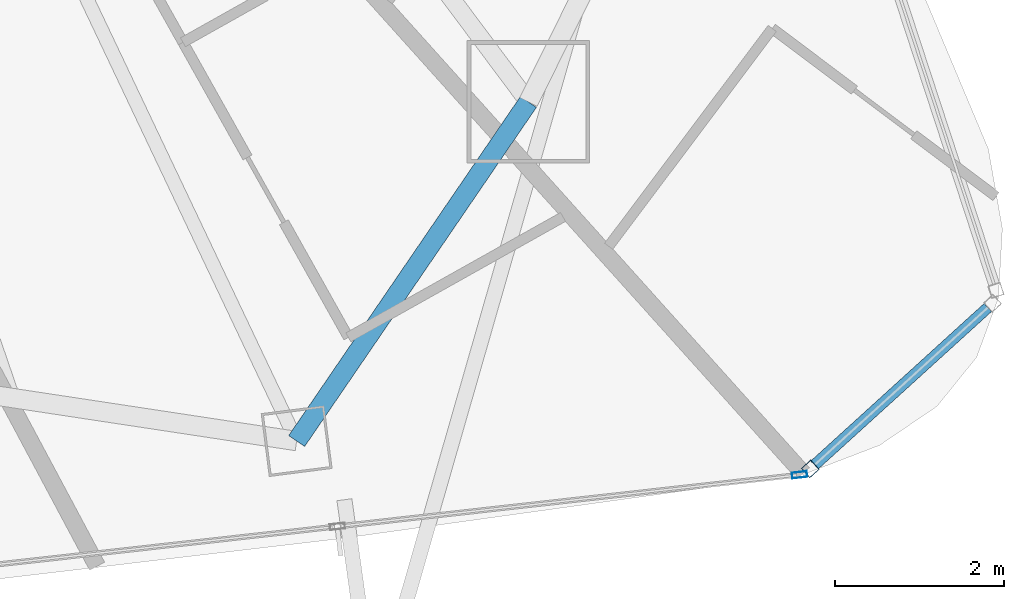
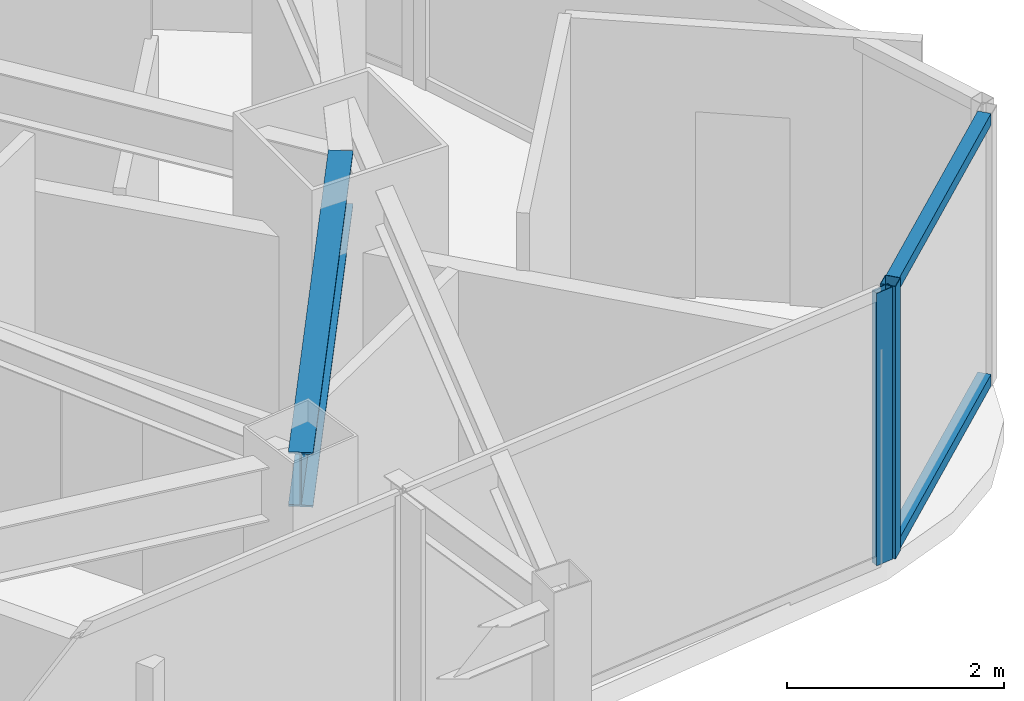
# One storey, part 15 of 30: 4 members, 1 beam, 2 elements without a shape of their own.
"""IFC4 building model written with IfcOpenShell, lengths in metres."""

from ifc_helpers import new_model, si_unit, direction, frame, origin, origin_2d, place, context, subcontext, project, spatial, hollow_rectangle, i_section, extrude, material, layer, layer_set, material_profile, profile_set, type_object, element, aggregate, save


model = new_model("IFC4")

# Units and contexts
model_context = context("Model", 3, precision=1e-05, world=origin(), true_north=direction((0.0, 1.0)))
body_context = subcontext(model_context, "Body", "Model", "MODEL_VIEW")
ifc_project = project(units=[si_unit("LENGTHUNIT", "METRE"), si_unit("AREAUNIT", "SQUARE_METRE"), si_unit("VOLUMEUNIT", "CUBIC_METRE"), si_unit("PLANEANGLEUNIT", "RADIAN"), si_unit("MASSUNIT", "GRAM", prefix="KILO")], contexts=[model_context])

# Site, building, storey
site_placement = place(None, origin())
site = spatial("IfcSite", under=ifc_project, at=site_placement, CompositionType="ELEMENT")
building_placement = place(site_placement, origin())
building = spatial("IfcBuilding", under=site, at=building_placement, Name="Orvanel Arch Residences", CompositionType="ELEMENT")
storey_placement = place(building_placement, frame((0.0, 0.0, 180.35009765625)))
storey = spatial("IfcBuildingStorey", under=building, at=storey_placement, Name="L51", CompositionType="ELEMENT", Elevation=180.35009765625)

# Curtain wall, member
ifc_material_1 = material(Name="Bronze-anodised aluminium AA6063-T6", Category="aluminium")
ifc_layer_1 = layer(ifc_material_1, 0.18994140625)
ifc_layer_set_1 = layer_set([ifc_layer_1], Name="Bronze-anodised aluminium AA6063-T6")
curtain_wall_type_1 = type_object("IfcCurtainWallType", Name="CW5-CRN-SYS", PredefinedType="NOTDEFINED", material=ifc_layer_set_1)
curtain_wall_1_placement = place(storey_placement, origin())
curtain_wall_1 = element("IfcCurtainWall", 1, at=curtain_wall_1_placement, inside=storey, type_object=curtain_wall_type_1, Name="L51 CW5-CRN-SYS Unitised Curtain Wall", PredefinedType="NOTDEFINED")
ifc_material_profile_1 = material_profile(ifc_material_1, hollow_rectangle(XDim=0.14990234375, YDim=0.14990234375, WallThickness=0.0048828125, at=origin_2d()), Name="ALU150x150x5")
ifc_profile_set_1 = profile_set([ifc_material_profile_1], Name="Bronze-anodised aluminium AA6063-T6")
member_type_1 = type_object("IfcMemberType", Name="MUL-150x150", PredefinedType="MULLION", material=ifc_profile_set_1)
member_1_placement = place(storey_placement, frame((55.133544921875, 6.009521484375, 0.0), z_axis=(0.0, 0.0, 1.0), x_axis=(-0.672347823548, 0.740235370791, 0.0)))
member_1 = element("IfcMember", 2, at=member_1_placement, type_object=member_type_1, Name="CW-S5 mullion 1", PredefinedType="MULLION", context=body_context, shape_type="SweptSolid", body=[
    extrude(hollow_rectangle(XDim=0.14990234375, YDim=0.14990234375, WallThickness=0.0048828125, at=origin_2d()), origin(), (0.0, 0.0, 1.0), 3.059814453125),
])

ifc_layer_2 = layer(ifc_material_1, 0.179931640625)
ifc_layer_set_2 = layer_set([ifc_layer_2], Name="Bronze-anodised aluminium AA6063-T6")
curtain_wall_type_2 = type_object("IfcCurtainWallType", Name="CW3-MID-SYS", PredefinedType="NOTDEFINED", material=ifc_layer_set_2)
curtain_wall_2_placement = place(storey_placement, origin())
curtain_wall_2 = element("IfcCurtainWall", 3, at=curtain_wall_2_placement, inside=storey, type_object=curtain_wall_type_2, Name="L51 CW3-MID-SYS Unitised Curtain Wall", PredefinedType="NOTDEFINED")
ifc_material_profile_2 = material_profile(ifc_material_1, hollow_rectangle(XDim=0.070068359375, YDim=0.179931640625, WallThickness=0.00439453125, at=origin_2d()), Name="ALU180x70x4.5")
ifc_profile_set_2 = profile_set([ifc_material_profile_2], Name="Bronze-anodised aluminium AA6063-T6")
member_type_2 = type_object("IfcMemberType", Name="MUL-180x70", PredefinedType="MULLION", material=ifc_profile_set_2)
member_2_placement = place(storey_placement, frame((55.00830078125, 5.940185546875, 0.0), z_axis=(0.0, 0.0, 1.0), x_axis=(-0.111079078463, 0.993811570836, 0.0)))
member_2 = element("IfcMember", 4, at=member_2_placement, type_object=member_type_2, Name="CW-S3 mullion 4", PredefinedType="MULLION", context=body_context, shape_type="SweptSolid", body=[
    extrude(hollow_rectangle(XDim=0.070068359375, YDim=0.179931640625, WallThickness=0.00439453125, at=origin_2d()), origin(), (0.0, 0.0, 1.0), 3.059814453125),
])
aggregate(curtain_wall_2, [member_2])

# Beam
ifc_material_2 = material(Name="Structural steel AS/NZS 3679.1 Grade 300 (300 MPa)", Category="steel")
ifc_material_profile_3 = material_profile(ifc_material_2, i_section(OverallWidth=0.22900390625, OverallDepth=0.612060546875, WebThickness=0.011962890625, FlangeThickness=0.01953125, at=origin_2d()), Name="610UB125")
ifc_profile_set_3 = profile_set([ifc_material_profile_3], Name="Structural steel AS/NZS 3679.1 Grade 300 (300 MPa)")
beam_type = type_object("IfcBeamType", Name="SP-610UB", PredefinedType="SPANDREL", material=ifc_profile_set_3)
beam_placement = place(storey_placement, frame((49.05908203125, 6.339111328125, 2.75390625), z_axis=(0.564251579852, 0.825602903722, 0.0), x_axis=(-0.825602903722, 0.564251579852, 0.0)))
element("IfcBeam", 5, at=beam_placement, inside=storey, type_object=beam_type, Name="L51 Perimeter Spandrel Beam 08", PredefinedType="SPANDREL", context=body_context, shape_type="SweptSolid", body=[
    extrude(i_section(OverallWidth=0.22900390625, OverallDepth=0.612060546875, WebThickness=0.011962890625, FlangeThickness=0.01953125, at=origin_2d()), origin(), (0.0, 0.0, 1.0), 4.859375),
])

# Member
ifc_material_profile_4 = material_profile(ifc_material_1, hollow_rectangle(XDim=0.1298828125, YDim=0.1298828125, WallThickness=0.00439453125, at=origin_2d()), Name="ALU130x130x4.5")
ifc_profile_set_4 = profile_set([ifc_material_profile_4], Name="Bronze-anodised aluminium AA6063-T6")
member_type_3 = type_object("IfcMemberType", Name="TRN-130x130", PredefinedType="USERDEFINED", material=ifc_profile_set_4)
member_3_placement = place(storey_placement, frame((55.18896484375, 6.059814453125, 0.06494140625), z_axis=(0.740211799964, 0.672373773428, 0.0), x_axis=(-0.672373773428, 0.740211799964, 0.0)))
member_3 = element("IfcMember", 6, at=member_3_placement, type_object=member_type_3, Name="CW-S5 transom 1.1", ObjectType="TRANSOM", PredefinedType="USERDEFINED", context=body_context, shape_type="SweptSolid", body=[
    extrude(hollow_rectangle(XDim=0.1298828125, YDim=0.1298828125, WallThickness=0.00439453125, at=origin_2d()), origin(), (0.0, 0.0, 1.0), 2.763916015625),
])

member_4_placement = place(storey_placement, frame((55.18896484375, 6.059814453125, 2.994873046875), z_axis=(0.740211799964, 0.672373773428, 0.0), x_axis=(-0.672373773428, 0.740211799964, 0.0)))
member_4 = element("IfcMember", 7, at=member_4_placement, type_object=member_type_3, Name="CW-S5 transom 1.2", ObjectType="TRANSOM", PredefinedType="USERDEFINED", context=body_context, shape_type="SweptSolid", body=[
    extrude(hollow_rectangle(XDim=0.1298828125, YDim=0.1298828125, WallThickness=0.00439453125, at=origin_2d()), origin(), (0.0, 0.0, 1.0), 2.763916015625),
])

aggregate(curtain_wall_1, [member_1, member_3, member_4])

save(model, "model.ifc")
